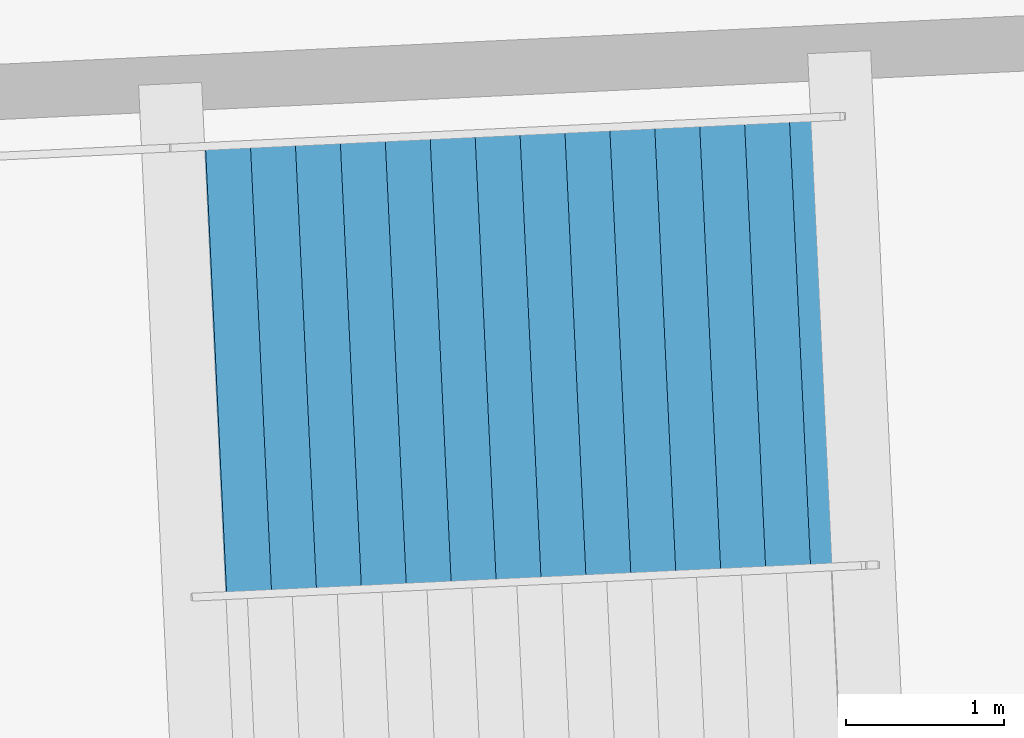
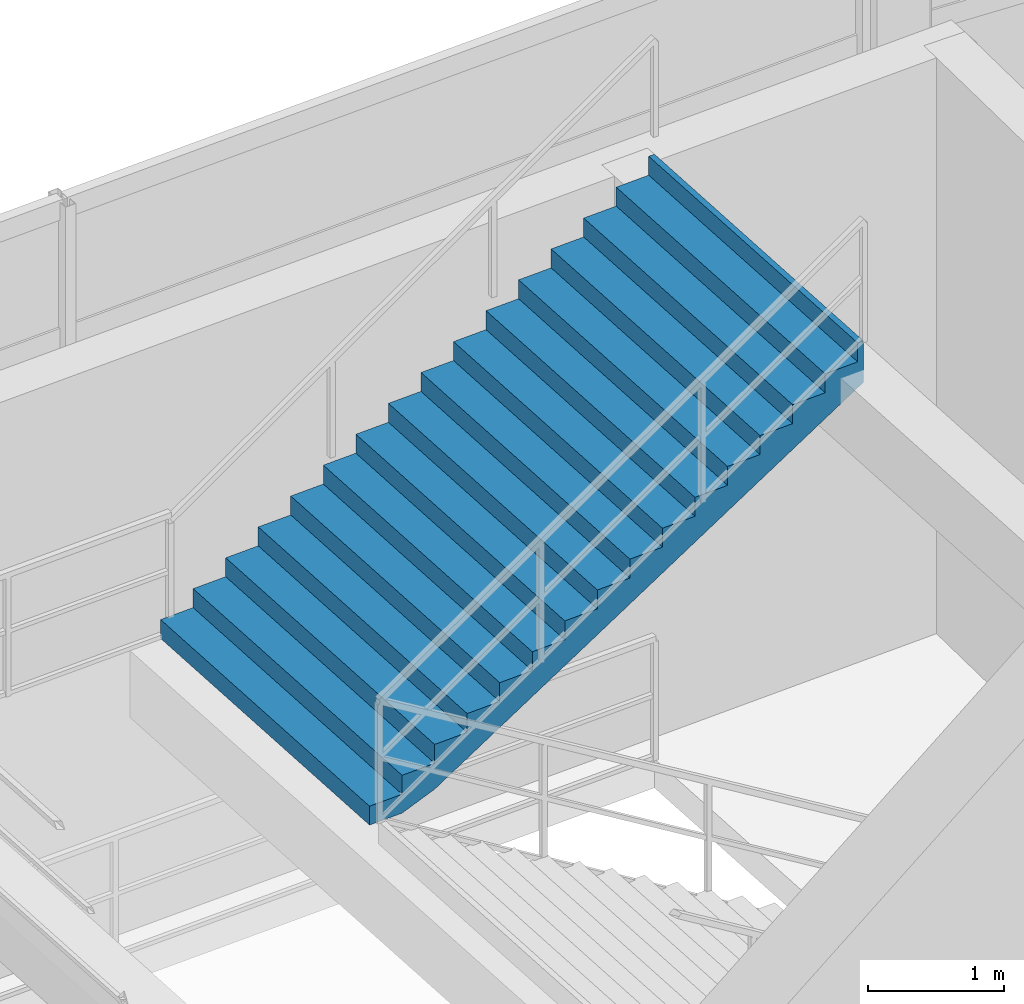
# One storey, part 94 of 103: 1 stair flight, 1 element without a shape of its own.
"""IFC4 building model written with IfcOpenShell, lengths in metres."""

from ifc_helpers import new_model, si_unit, direction, frame, origin, place, context, subcontext, project, spatial, polygons, material, type_object, element, aggregate, save


model = new_model("IFC4")

# Units and contexts
model_context = context("Model", 3, precision=1e-05, world=origin(), true_north=direction((0.0, 1.0)))
body_context = subcontext(model_context, "Body", "Model", "MODEL_VIEW")
ifc_project = project(units=[si_unit("LENGTHUNIT", "METRE"), si_unit("AREAUNIT", "SQUARE_METRE"), si_unit("VOLUMEUNIT", "CUBIC_METRE"), si_unit("PLANEANGLEUNIT", "RADIAN"), si_unit("MASSUNIT", "GRAM", prefix="KILO")], contexts=[model_context])

# Site, building, storey
site_placement = place(None, origin())
site = spatial("IfcSite", under=ifc_project, at=site_placement, CompositionType="ELEMENT")
building_placement = place(site_placement, origin())
building = spatial("IfcBuilding", under=site, at=building_placement, Name="Kazemori Nagisa Stadium", CompositionType="ELEMENT")
storey_placement = place(building_placement, frame((0.0, 0.0, 25.840087890625)))
storey = spatial("IfcBuildingStorey", under=building, at=storey_placement, Name="L05", CompositionType="ELEMENT", Elevation=25.840087890625)

# Stair, stair flight
ifc_material = material(Name="Concrete C36/45 (Fc36)", Category="concrete")
stair_type = type_object("IfcStairType", Name="Stair_CORE_32", PredefinedType="TWO_STRAIGHT_RUN_STAIR", material=ifc_material)
stair_placement = place(storey_placement, origin())
stair = element("IfcStair", 1, at=stair_placement, inside=storey, type_object=stair_type, Name="Exit stair ST05 L05", PredefinedType="TWO_STRAIGHT_RUN_STAIR")
stair_flight_type = type_object("IfcStairFlightType", Name="Flight_CORE_16", PredefinedType="STRAIGHT", material=ifc_material)
stair_flight_placement = place(storey_placement, frame((114.930419921875, 183.20458984375, 2.719970703125), z_axis=(0.0, 0.0, 1.0), x_axis=(0.99888410244, 0.047228697771, 0.0)))
stair_flight = element("IfcStairFlight", 2, at=stair_flight_placement, type_object=stair_flight_type, Name="Exit stair ST05 L05 flight 2", NumberOfRisers=16, NumberOfTreads=15, PredefinedType="STRAIGHT", RiserHeight=0.17, TreadLength=0.285, context=body_context, shape_type="Tessellation", body=[
    polygons([(0.0, -1.425048828125, 0.0), (0.0, -1.425048828125, 0.169921875), (0.284912109375, -1.425048828125, 0.169921875), (0.284912109375, -1.425048828125, 0.340087890625), (0.570068359375, -1.425048828125, 0.340087890625), (0.570068359375, -1.425048828125, 0.510009765625), (0.85498046875, -1.425048828125, 0.510009765625), (0.85498046875, -1.425048828125, 0.679931640625), (1.139892578125, -1.425048828125, 0.679931640625), (1.139892578125, -1.425048828125, 0.85009765625), (1.425048828125, -1.425048828125, 0.85009765625), (1.425048828125, -1.425048828125, 1.02001953125), (1.7099609375, -1.425048828125, 1.02001953125), (1.7099609375, -1.425048828125, 1.18994140625), (1.9951171875, -1.425048828125, 1.18994140625), (1.9951171875, -1.425048828125, 1.360107421875), (2.280029296875, -1.425048828125, 1.360107421875), (2.280029296875, -1.425048828125, 1.530029296875), (2.56494140625, -1.425048828125, 1.530029296875), (2.56494140625, -1.425048828125, 1.699951171875), (2.85009765625, -1.425048828125, 1.699951171875), (2.85009765625, -1.425048828125, 1.8701171875), (3.135009765625, -1.425048828125, 1.8701171875), (3.135009765625, -1.425048828125, 2.0400390625), (3.419921875, -1.425048828125, 2.0400390625), (3.419921875, -1.425048828125, 2.2099609375), (3.705078125, -1.425048828125, 2.2099609375), (3.705078125, -1.425048828125, 2.3798828125), (3.989990234375, -1.425048828125, 2.3798828125), (3.989990234375, -1.425048828125, 2.550048828125), (4.27490234375, -1.425048828125, 2.550048828125), (4.27490234375, -1.425048828125, 2.719970703125), (4.324951171875, -1.425048828125, 2.719970703125), (4.324951171875, -1.425048828125, 2.346923828125), (4.27490234375, -1.425048828125, 2.317138671875), (3.989990234375, -1.425048828125, 2.147216796875), (3.705078125, -1.425048828125, 1.977294921875), (3.419921875, -1.425048828125, 1.80712890625), (3.135009765625, -1.425048828125, 1.63720703125), (2.85009765625, -1.425048828125, 1.46728515625), (2.56494140625, -1.425048828125, 1.297119140625), (2.280029296875, -1.425048828125, 1.127197265625), (1.9951171875, -1.425048828125, 0.957275390625), (1.7099609375, -1.425048828125, 0.787109375), (1.425048828125, -1.425048828125, 0.6171875), (1.139892578125, -1.425048828125, 0.447265625), (0.85498046875, -1.425048828125, 0.277099609375), (0.570068359375, -1.425048828125, 0.107177734375), (0.284912109375, -1.425048828125, 0.0), (0.0, -0.08544921875, 0.0), (0.0, -0.08544921875, 0.169921875), (0.284912109375, -0.08544921875, 0.169921875), (0.284912109375, -0.08544921875, 0.340087890625), (0.570068359375, -0.08544921875, 0.340087890625), (0.570068359375, -0.08544921875, 0.510009765625), (0.85498046875, -0.08544921875, 0.510009765625), (0.85498046875, -0.08544921875, 0.679931640625), (1.139892578125, -0.08544921875, 0.679931640625), (1.139892578125, -0.08544921875, 0.85009765625), (1.425048828125, -0.08544921875, 0.85009765625), (1.425048828125, -0.08544921875, 1.02001953125), (1.7099609375, -0.08544921875, 1.02001953125), (1.7099609375, -0.08544921875, 1.18994140625), (1.9951171875, -0.08544921875, 1.18994140625), (1.9951171875, -0.08544921875, 1.360107421875), (2.280029296875, -0.08544921875, 1.360107421875), (2.280029296875, -0.08544921875, 1.530029296875), (2.56494140625, -0.08544921875, 1.530029296875), (2.56494140625, -0.08544921875, 1.699951171875), (2.85009765625, -0.08544921875, 1.699951171875), (2.85009765625, -0.08544921875, 1.8701171875), (3.135009765625, -0.08544921875, 1.8701171875), (3.135009765625, -0.08544921875, 2.0400390625), (3.419921875, -0.08544921875, 2.0400390625), (3.419921875, -0.08544921875, 2.2099609375), (3.705078125, -0.08544921875, 2.2099609375), (3.705078125, -0.08544921875, 2.3798828125), (3.989990234375, -0.08544921875, 2.3798828125), (3.989990234375, -0.08544921875, 2.550048828125), (4.27490234375, -0.08544921875, 2.550048828125), (4.27490234375, -0.08544921875, 2.719970703125), (4.324951171875, -0.08544921875, 2.719970703125), (4.324951171875, -0.08544921875, 2.346923828125), (4.27490234375, -0.08544921875, 2.317138671875), (3.989990234375, -0.08544921875, 2.147216796875), (3.705078125, -0.08544921875, 1.977294921875), (3.419921875, -0.08544921875, 1.80712890625), (3.135009765625, -0.08544921875, 1.63720703125), (2.85009765625, -0.08544921875, 1.46728515625), (2.56494140625, -0.08544921875, 1.297119140625), (2.280029296875, -0.08544921875, 1.127197265625), (1.9951171875, -0.08544921875, 0.957275390625), (1.7099609375, -0.08544921875, 0.787109375), (1.425048828125, -0.08544921875, 0.6171875), (1.139892578125, -0.08544921875, 0.447265625), (0.85498046875, -0.08544921875, 0.277099609375), (0.570068359375, -0.08544921875, 0.107177734375), (0.284912109375, -0.08544921875, 0.0), (0.0, 0.0, 0.0), (0.0, 0.0, 0.169921875), (0.284912109375, 0.0, 0.169921875), (0.284912109375, 0.0, 0.340087890625), (0.570068359375, 0.0, 0.340087890625), (0.570068359375, 0.0, 0.510009765625), (0.85498046875, 0.0, 0.510009765625), (0.85498046875, 0.0, 0.679931640625), (1.139892578125, 0.0, 0.679931640625), (1.139892578125, 0.0, 0.85009765625), (1.425048828125, 0.0, 0.85009765625), (1.425048828125, 0.0, 1.02001953125), (1.7099609375, 0.0, 1.02001953125), (1.7099609375, 0.0, 1.18994140625), (1.9951171875, 0.0, 1.18994140625), (1.9951171875, 0.0, 1.360107421875), (2.280029296875, 0.0, 1.360107421875), (2.280029296875, 0.0, 1.530029296875), (2.56494140625, 0.0, 1.530029296875), (2.56494140625, 0.0, 1.699951171875), (2.85009765625, 0.0, 1.699951171875), (2.85009765625, 0.0, 1.8701171875), (3.135009765625, 0.0, 1.8701171875), (3.135009765625, 0.0, 2.0400390625), (3.419921875, 0.0, 2.0400390625), (3.419921875, 0.0, 2.2099609375), (3.705078125, 0.0, 2.2099609375), (3.705078125, 0.0, 2.3798828125), (3.989990234375, 0.0, 2.3798828125), (3.989990234375, 0.0, 2.550048828125), (4.27490234375, 0.0, 2.550048828125), (4.27490234375, 0.0, 2.719970703125), (4.324951171875, 0.0, 2.719970703125), (4.324951171875, 0.0, 2.346923828125), (4.27490234375, 0.0, 2.317138671875), (3.989990234375, 0.0, 2.147216796875), (3.705078125, 0.0, 1.977294921875), (3.419921875, 0.0, 1.80712890625), (3.135009765625, 0.0, 1.63720703125), (2.85009765625, 0.0, 1.46728515625), (2.56494140625, 0.0, 1.297119140625), (2.280029296875, 0.0, 1.127197265625), (1.9951171875, 0.0, 0.957275390625), (1.7099609375, 0.0, 0.787109375), (1.425048828125, 0.0, 0.6171875), (1.139892578125, 0.0, 0.447265625), (0.85498046875, 0.0, 0.277099609375), (0.570068359375, 0.0, 0.107177734375), (0.284912109375, 0.0, 0.0), (0.0, 0.08544921875, 0.0), (0.0, 0.08544921875, 0.169921875), (0.284912109375, 0.08544921875, 0.169921875), (0.284912109375, 0.08544921875, 0.340087890625), (0.570068359375, 0.08544921875, 0.340087890625), (0.570068359375, 0.08544921875, 0.510009765625), (0.85498046875, 0.08544921875, 0.510009765625), (0.85498046875, 0.08544921875, 0.679931640625), (1.139892578125, 0.08544921875, 0.679931640625), (1.139892578125, 0.08544921875, 0.85009765625), (1.425048828125, 0.08544921875, 0.85009765625), (1.425048828125, 0.08544921875, 1.02001953125), (1.7099609375, 0.08544921875, 1.02001953125), (1.7099609375, 0.08544921875, 1.18994140625), (1.9951171875, 0.08544921875, 1.18994140625), (1.9951171875, 0.08544921875, 1.360107421875), (2.280029296875, 0.08544921875, 1.360107421875), (2.280029296875, 0.08544921875, 1.530029296875), (2.56494140625, 0.08544921875, 1.530029296875), (2.56494140625, 0.08544921875, 1.699951171875), (2.85009765625, 0.08544921875, 1.699951171875), (2.85009765625, 0.08544921875, 1.8701171875), (3.135009765625, 0.08544921875, 1.8701171875), (3.135009765625, 0.08544921875, 2.0400390625), (3.419921875, 0.08544921875, 2.0400390625), (3.419921875, 0.08544921875, 2.2099609375), (3.705078125, 0.08544921875, 2.2099609375), (3.705078125, 0.08544921875, 2.3798828125), (3.989990234375, 0.08544921875, 2.3798828125), (3.989990234375, 0.08544921875, 2.550048828125), (4.27490234375, 0.08544921875, 2.550048828125), (4.27490234375, 0.08544921875, 2.719970703125), (4.324951171875, 0.08544921875, 2.719970703125), (4.324951171875, 0.08544921875, 2.346923828125), (4.27490234375, 0.08544921875, 2.317138671875), (3.989990234375, 0.08544921875, 2.147216796875), (3.705078125, 0.08544921875, 1.977294921875), (3.419921875, 0.08544921875, 1.80712890625), (3.135009765625, 0.08544921875, 1.63720703125), (2.85009765625, 0.08544921875, 1.46728515625), (2.56494140625, 0.08544921875, 1.297119140625), (2.280029296875, 0.08544921875, 1.127197265625), (1.9951171875, 0.08544921875, 0.957275390625), (1.7099609375, 0.08544921875, 0.787109375), (1.425048828125, 0.08544921875, 0.6171875), (1.139892578125, 0.08544921875, 0.447265625), (0.85498046875, 0.08544921875, 0.277099609375), (0.570068359375, 0.08544921875, 0.107177734375), (0.284912109375, 0.08544921875, 0.0), (0.0, 1.425048828125, 0.0), (0.0, 1.425048828125, 0.169921875), (0.284912109375, 1.425048828125, 0.169921875), (0.284912109375, 1.425048828125, 0.340087890625), (0.570068359375, 1.425048828125, 0.340087890625), (0.570068359375, 1.425048828125, 0.510009765625), (0.85498046875, 1.425048828125, 0.510009765625), (0.85498046875, 1.425048828125, 0.679931640625), (1.139892578125, 1.425048828125, 0.679931640625), (1.139892578125, 1.425048828125, 0.85009765625), (1.425048828125, 1.425048828125, 0.85009765625), (1.425048828125, 1.425048828125, 1.02001953125), (1.7099609375, 1.425048828125, 1.02001953125), (1.7099609375, 1.425048828125, 1.18994140625), (1.9951171875, 1.425048828125, 1.18994140625), (1.9951171875, 1.425048828125, 1.360107421875), (2.280029296875, 1.425048828125, 1.360107421875), (2.280029296875, 1.425048828125, 1.530029296875), (2.56494140625, 1.425048828125, 1.530029296875), (2.56494140625, 1.425048828125, 1.699951171875), (2.85009765625, 1.425048828125, 1.699951171875), (2.85009765625, 1.425048828125, 1.8701171875), (3.135009765625, 1.425048828125, 1.8701171875), (3.135009765625, 1.425048828125, 2.0400390625), (3.419921875, 1.425048828125, 2.0400390625), (3.419921875, 1.425048828125, 2.2099609375), (3.705078125, 1.425048828125, 2.2099609375), (3.705078125, 1.425048828125, 2.3798828125), (3.989990234375, 1.425048828125, 2.3798828125), (3.989990234375, 1.425048828125, 2.550048828125), (4.27490234375, 1.425048828125, 2.550048828125), (4.27490234375, 1.425048828125, 2.719970703125), (4.324951171875, 1.425048828125, 2.719970703125), (4.324951171875, 1.425048828125, 2.346923828125), (4.27490234375, 1.425048828125, 2.317138671875), (3.989990234375, 1.425048828125, 2.147216796875), (3.705078125, 1.425048828125, 1.977294921875), (3.419921875, 1.425048828125, 1.80712890625), (3.135009765625, 1.425048828125, 1.63720703125), (2.85009765625, 1.425048828125, 1.46728515625), (2.56494140625, 1.425048828125, 1.297119140625), (2.280029296875, 1.425048828125, 1.127197265625), (1.9951171875, 1.425048828125, 0.957275390625), (1.7099609375, 1.425048828125, 0.787109375), (1.425048828125, 1.425048828125, 0.6171875), (1.139892578125, 1.425048828125, 0.447265625), (0.85498046875, 1.425048828125, 0.277099609375), (0.570068359375, 1.425048828125, 0.107177734375), (0.284912109375, 1.425048828125, 0.0)], [[[1, 2, 51]], [[1, 51, 50]], [[2, 3, 52]], [[2, 52, 51]], [[3, 4, 53]], [[3, 53, 52]], [[4, 5, 54]], [[4, 54, 53]], [[5, 6, 55]], [[5, 55, 54]], [[6, 7, 56]], [[6, 56, 55]], [[7, 8, 57]], [[7, 57, 56]], [[8, 9, 58]], [[8, 58, 57]], [[9, 10, 59]], [[9, 59, 58]], [[10, 11, 60]], [[10, 60, 59]], [[11, 12, 61]], [[11, 61, 60]], [[12, 13, 62]], [[12, 62, 61]], [[13, 14, 63]], [[13, 63, 62]], [[14, 15, 64]], [[14, 64, 63]], [[15, 16, 65]], [[15, 65, 64]], [[16, 17, 66]], [[16, 66, 65]], [[17, 18, 67]], [[17, 67, 66]], [[18, 19, 68]], [[18, 68, 67]], [[19, 20, 69]], [[19, 69, 68]], [[20, 21, 70]], [[20, 70, 69]], [[21, 22, 71]], [[21, 71, 70]], [[22, 23, 72]], [[22, 72, 71]], [[23, 24, 73]], [[23, 73, 72]], [[24, 25, 74]], [[24, 74, 73]], [[25, 26, 75]], [[25, 75, 74]], [[26, 27, 76]], [[26, 76, 75]], [[27, 28, 77]], [[27, 77, 76]], [[28, 29, 78]], [[28, 78, 77]], [[29, 30, 79]], [[29, 79, 78]], [[30, 31, 80]], [[30, 80, 79]], [[31, 32, 81]], [[31, 81, 80]], [[32, 33, 82]], [[32, 82, 81]], [[33, 34, 83]], [[33, 83, 82]], [[34, 35, 84]], [[34, 84, 83]], [[35, 36, 85]], [[35, 85, 84]], [[36, 37, 86]], [[36, 86, 85]], [[37, 38, 87]], [[37, 87, 86]], [[38, 39, 88]], [[38, 88, 87]], [[39, 40, 89]], [[39, 89, 88]], [[40, 41, 90]], [[40, 90, 89]], [[41, 42, 91]], [[41, 91, 90]], [[42, 43, 92]], [[42, 92, 91]], [[43, 44, 93]], [[43, 93, 92]], [[44, 45, 94]], [[44, 94, 93]], [[45, 46, 95]], [[45, 95, 94]], [[46, 47, 96]], [[46, 96, 95]], [[47, 48, 97]], [[47, 97, 96]], [[48, 49, 98]], [[48, 98, 97]], [[49, 1, 50]], [[49, 50, 98]], [[50, 51, 100]], [[50, 100, 99]], [[51, 52, 101]], [[51, 101, 100]], [[52, 53, 102]], [[52, 102, 101]], [[53, 54, 103]], [[53, 103, 102]], [[54, 55, 104]], [[54, 104, 103]], [[55, 56, 105]], [[55, 105, 104]], [[56, 57, 106]], [[56, 106, 105]], [[57, 58, 107]], [[57, 107, 106]], [[58, 59, 108]], [[58, 108, 107]], [[59, 60, 109]], [[59, 109, 108]], [[60, 61, 110]], [[60, 110, 109]], [[61, 62, 111]], [[61, 111, 110]], [[62, 63, 112]], [[62, 112, 111]], [[63, 64, 113]], [[63, 113, 112]], [[64, 65, 114]], [[64, 114, 113]], [[65, 66, 115]], [[65, 115, 114]], [[66, 67, 116]], [[66, 116, 115]], [[67, 68, 117]], [[67, 117, 116]], [[68, 69, 118]], [[68, 118, 117]], [[69, 70, 119]], [[69, 119, 118]], [[70, 71, 120]], [[70, 120, 119]], [[71, 72, 121]], [[71, 121, 120]], [[72, 73, 122]], [[72, 122, 121]], [[73, 74, 123]], [[73, 123, 122]], [[74, 75, 124]], [[74, 124, 123]], [[75, 76, 125]], [[75, 125, 124]], [[76, 77, 126]], [[76, 126, 125]], [[77, 78, 127]], [[77, 127, 126]], [[78, 79, 128]], [[78, 128, 127]], [[79, 80, 129]], [[79, 129, 128]], [[80, 81, 130]], [[80, 130, 129]], [[81, 82, 131]], [[81, 131, 130]], [[82, 83, 132]], [[82, 132, 131]], [[83, 84, 133]], [[83, 133, 132]], [[84, 85, 134]], [[84, 134, 133]], [[85, 86, 135]], [[85, 135, 134]], [[86, 87, 136]], [[86, 136, 135]], [[87, 88, 137]], [[87, 137, 136]], [[88, 89, 138]], [[88, 138, 137]], [[89, 90, 139]], [[89, 139, 138]], [[90, 91, 140]], [[90, 140, 139]], [[91, 92, 141]], [[91, 141, 140]], [[92, 93, 142]], [[92, 142, 141]], [[93, 94, 143]], [[93, 143, 142]], [[94, 95, 144]], [[94, 144, 143]], [[95, 96, 145]], [[95, 145, 144]], [[96, 97, 146]], [[96, 146, 145]], [[97, 98, 147]], [[97, 147, 146]], [[98, 50, 99]], [[98, 99, 147]], [[99, 100, 149]], [[99, 149, 148]], [[100, 101, 150]], [[100, 150, 149]], [[101, 102, 151]], [[101, 151, 150]], [[102, 103, 152]], [[102, 152, 151]], [[103, 104, 153]], [[103, 153, 152]], [[104, 105, 154]], [[104, 154, 153]], [[105, 106, 155]], [[105, 155, 154]], [[106, 107, 156]], [[106, 156, 155]], [[107, 108, 157]], [[107, 157, 156]], [[108, 109, 158]], [[108, 158, 157]], [[109, 110, 159]], [[109, 159, 158]], [[110, 111, 160]], [[110, 160, 159]], [[111, 112, 161]], [[111, 161, 160]], [[112, 113, 162]], [[112, 162, 161]], [[113, 114, 163]], [[113, 163, 162]], [[114, 115, 164]], [[114, 164, 163]], [[115, 116, 165]], [[115, 165, 164]], [[116, 117, 166]], [[116, 166, 165]], [[117, 118, 167]], [[117, 167, 166]], [[118, 119, 168]], [[118, 168, 167]], [[119, 120, 169]], [[119, 169, 168]], [[120, 121, 170]], [[120, 170, 169]], [[121, 122, 171]], [[121, 171, 170]], [[122, 123, 172]], [[122, 172, 171]], [[123, 124, 173]], [[123, 173, 172]], [[124, 125, 174]], [[124, 174, 173]], [[125, 126, 175]], [[125, 175, 174]], [[126, 127, 176]], [[126, 176, 175]], [[127, 128, 177]], [[127, 177, 176]], [[128, 129, 178]], [[128, 178, 177]], [[129, 130, 179]], [[129, 179, 178]], [[130, 131, 180]], [[130, 180, 179]], [[131, 132, 181]], [[131, 181, 180]], [[132, 133, 182]], [[132, 182, 181]], [[133, 134, 183]], [[133, 183, 182]], [[134, 135, 184]], [[134, 184, 183]], [[135, 136, 185]], [[135, 185, 184]], [[136, 137, 186]], [[136, 186, 185]], [[137, 138, 187]], [[137, 187, 186]], [[138, 139, 188]], [[138, 188, 187]], [[139, 140, 189]], [[139, 189, 188]], [[140, 141, 190]], [[140, 190, 189]], [[141, 142, 191]], [[141, 191, 190]], [[142, 143, 192]], [[142, 192, 191]], [[143, 144, 193]], [[143, 193, 192]], [[144, 145, 194]], [[144, 194, 193]], [[145, 146, 195]], [[145, 195, 194]], [[146, 147, 196]], [[146, 196, 195]], [[147, 99, 148]], [[147, 148, 196]], [[148, 149, 198]], [[148, 198, 197]], [[149, 150, 199]], [[149, 199, 198]], [[150, 151, 200]], [[150, 200, 199]], [[151, 152, 201]], [[151, 201, 200]], [[152, 153, 202]], [[152, 202, 201]], [[153, 154, 203]], [[153, 203, 202]], [[154, 155, 204]], [[154, 204, 203]], [[155, 156, 205]], [[155, 205, 204]], [[156, 157, 206]], [[156, 206, 205]], [[157, 158, 207]], [[157, 207, 206]], [[158, 159, 208]], [[158, 208, 207]], [[159, 160, 209]], [[159, 209, 208]], [[160, 161, 210]], [[160, 210, 209]], [[161, 162, 211]], [[161, 211, 210]], [[162, 163, 212]], [[162, 212, 211]], [[163, 164, 213]], [[163, 213, 212]], [[164, 165, 214]], [[164, 214, 213]], [[165, 166, 215]], [[165, 215, 214]], [[166, 167, 216]], [[166, 216, 215]], [[167, 168, 217]], [[167, 217, 216]], [[168, 169, 218]], [[168, 218, 217]], [[169, 170, 219]], [[169, 219, 218]], [[170, 171, 220]], [[170, 220, 219]], [[171, 172, 221]], [[171, 221, 220]], [[172, 173, 222]], [[172, 222, 221]], [[173, 174, 223]], [[173, 223, 222]], [[174, 175, 224]], [[174, 224, 223]], [[175, 176, 225]], [[175, 225, 224]], [[176, 177, 226]], [[176, 226, 225]], [[177, 178, 227]], [[177, 227, 226]], [[178, 179, 228]], [[178, 228, 227]], [[179, 180, 229]], [[179, 229, 228]], [[180, 181, 230]], [[180, 230, 229]], [[181, 182, 231]], [[181, 231, 230]], [[182, 183, 232]], [[182, 232, 231]], [[183, 184, 233]], [[183, 233, 232]], [[184, 185, 234]], [[184, 234, 233]], [[185, 186, 235]], [[185, 235, 234]], [[186, 187, 236]], [[186, 236, 235]], [[187, 188, 237]], [[187, 237, 236]], [[188, 189, 238]], [[188, 238, 237]], [[189, 190, 239]], [[189, 239, 238]], [[190, 191, 240]], [[190, 240, 239]], [[191, 192, 241]], [[191, 241, 240]], [[192, 193, 242]], [[192, 242, 241]], [[193, 194, 243]], [[193, 243, 242]], [[194, 195, 244]], [[194, 244, 243]], [[195, 196, 245]], [[195, 245, 244]], [[196, 148, 197]], [[196, 197, 245]], [[3, 2, 1]], [[197, 198, 199]], [[49, 3, 1]], [[197, 199, 245]], [[48, 3, 49]], [[245, 199, 244]], [[5, 3, 48]], [[244, 199, 201]], [[5, 4, 3]], [[199, 200, 201]], [[47, 5, 48]], [[244, 201, 243]], [[7, 5, 47]], [[243, 201, 203]], [[7, 6, 5]], [[201, 202, 203]], [[46, 7, 47]], [[243, 203, 242]], [[9, 7, 46]], [[242, 203, 205]], [[9, 8, 7]], [[203, 204, 205]], [[45, 9, 46]], [[242, 205, 241]], [[11, 9, 45]], [[241, 205, 207]], [[11, 10, 9]], [[205, 206, 207]], [[44, 11, 45]], [[241, 207, 240]], [[13, 11, 44]], [[240, 207, 209]], [[13, 12, 11]], [[207, 208, 209]], [[43, 13, 44]], [[240, 209, 239]], [[15, 13, 43]], [[239, 209, 211]], [[15, 14, 13]], [[209, 210, 211]], [[42, 15, 43]], [[239, 211, 238]], [[17, 15, 42]], [[238, 211, 213]], [[17, 16, 15]], [[211, 212, 213]], [[41, 17, 42]], [[238, 213, 237]], [[19, 17, 41]], [[237, 213, 215]], [[19, 18, 17]], [[213, 214, 215]], [[40, 19, 41]], [[237, 215, 236]], [[21, 19, 40]], [[236, 215, 217]], [[21, 20, 19]], [[215, 216, 217]], [[39, 21, 40]], [[236, 217, 235]], [[23, 21, 39]], [[235, 217, 219]], [[23, 22, 21]], [[217, 218, 219]], [[38, 23, 39]], [[235, 219, 234]], [[25, 23, 38]], [[234, 219, 221]], [[25, 24, 23]], [[219, 220, 221]], [[37, 25, 38]], [[234, 221, 233]], [[27, 25, 37]], [[233, 221, 223]], [[27, 26, 25]], [[221, 222, 223]], [[36, 27, 37]], [[233, 223, 232]], [[29, 27, 36]], [[232, 223, 225]], [[29, 28, 27]], [[223, 224, 225]], [[35, 29, 36]], [[232, 225, 231]], [[31, 29, 35]], [[231, 225, 227]], [[31, 30, 29]], [[225, 226, 227]], [[34, 31, 35]], [[231, 227, 230]], [[33, 31, 34]], [[230, 227, 229]], [[33, 32, 31]], [[227, 228, 229]]], closed=True),
])
aggregate(stair, [stair_flight])

save(model, "model.ifc")
